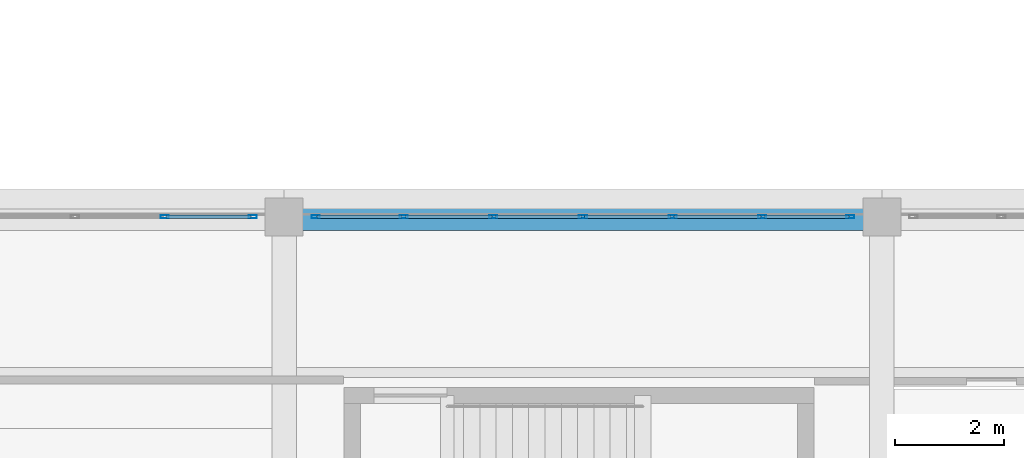
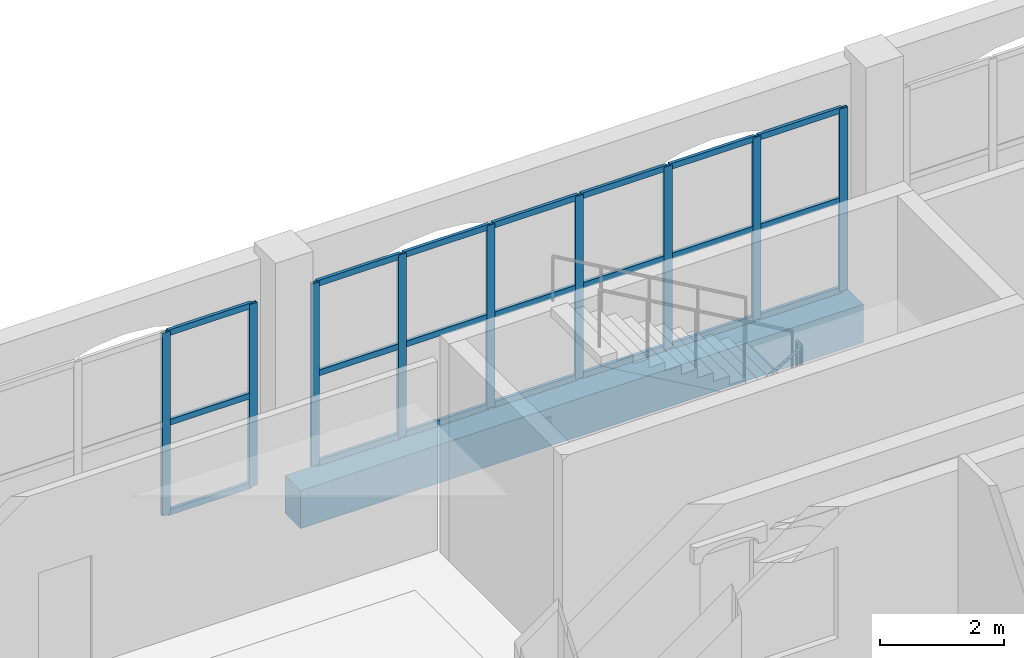
# One storey, part 45 of 156: 30 members, 1 beam, 2 elements without a shape of their own.
"""IFC4 building model written with IfcOpenShell, lengths in metres."""

from ifc_helpers import new_model, si_unit, direction, frame, origin, origin_2d, place, context, subcontext, project, spatial, rectangle, hollow_rectangle, extrude, material, material_profile, profile_set, type_object, element, aggregate, save


model = new_model("IFC4")

# Units and contexts
model_context = context("Model", 3, precision=1e-05, world=origin(), true_north=direction((0.0, 1.0)))
body_context = subcontext(model_context, "Body", "Model", "MODEL_VIEW")
ifc_project = project(units=[si_unit("LENGTHUNIT", "METRE"), si_unit("AREAUNIT", "SQUARE_METRE"), si_unit("VOLUMEUNIT", "CUBIC_METRE"), si_unit("PLANEANGLEUNIT", "RADIAN"), si_unit("MASSUNIT", "GRAM", prefix="KILO")], contexts=[model_context])

# Site, building, storey
site_placement = place(None, origin())
site = spatial("IfcSite", under=ifc_project, at=site_placement, CompositionType="ELEMENT")
building_placement = place(site_placement, origin())
building = spatial("IfcBuilding", under=site, at=building_placement, Name="Caurita Quay Ferry Terminal", CompositionType="ELEMENT")
storey_placement = place(building_placement, frame((0.0, 0.0, 5.39990234375)))
storey = spatial("IfcBuildingStorey", under=building, at=storey_placement, Name="L01", CompositionType="ELEMENT", Elevation=5.39990234375)

# Beam
ifc_material_1 = material(Name="Reinforced concrete C35/45", Category="concrete")
ifc_material_profile_1 = material_profile(ifc_material_1, rectangle(XDim=0.5, YDim=0.75, at=origin_2d()), Name="RC-BM-500X750")
ifc_profile_set_1 = profile_set([ifc_material_profile_1], Name="Reinforced concrete C35/45")
beam_type = type_object("IfcBeamType", Name="BM-RC-5075", PredefinedType="BEAM", material=ifc_profile_set_1)
beam_placement = place(storey_placement, frame((33.1748046875, 80.199951171875, -0.594970703125), z_axis=(1.0, 0.0, 0.0), x_axis=(0.0, 1.0, 0.0)))
element("IfcBeam", 1, at=beam_placement, inside=storey, type_object=beam_type, Name="L01 Beam BM-V5-L01-X-332-802", PredefinedType="BEAM", context=body_context, shape_type="SweptSolid", body=[
    extrude(rectangle(XDim=0.5, YDim=0.75, at=origin_2d()), origin(), (0.0, 0.0, 1.0), 10.485107421875),
])

# Curtain wall, members
ifc_material_2 = material(Name="Laminated solar-control insulated glass", Category="glass")
curtain_wall_type = type_object("IfcCurtainWallType", Name="CW-SYS-23", PredefinedType="NOTDEFINED", material=ifc_material_2)
curtain_wall_1_placement = place(storey_placement, origin())
curtain_wall_1 = element("IfcCurtainWall", 2, at=curtain_wall_1_placement, inside=storey, type_object=curtain_wall_type, Name="L01 Courtyard Cloister Storefront 156", PredefinedType="NOTDEFINED")
ifc_material_3 = material(Name="Anodized aluminium 6063-T6", Category="aluminium")
ifc_material_profile_2 = material_profile(ifc_material_3, hollow_rectangle(XDim=0.06005859375, YDim=0.14990234375, WallThickness=0.00341796875, at=origin_2d()), Name="ALU-MUL-60X150")
ifc_profile_set_2 = profile_set([ifc_material_profile_2], Name="Anodized aluminium 6063-T6")
member_type_1 = type_object("IfcMemberType", Name="CW-MUL-150", PredefinedType="MULLION", material=ifc_profile_set_2)
member_1_placement = place(storey_placement, frame((30.800048828125, 80.199951171875, 0.0), z_axis=(0.0, 0.0, 1.0), x_axis=(0.0, 1.0, 0.0)))
member_1 = element("IfcMember", 3, at=member_1_placement, type_object=member_type_1, Name="CW-CRT-156 Mullion 6", PredefinedType="MULLION", context=body_context, shape_type="SweptSolid", body=[
    extrude(hollow_rectangle(XDim=0.06005859375, YDim=0.14990234375, WallThickness=0.00341796875, at=origin_2d()), origin(), (0.0, 0.0, 1.0), 3.60009765625),
])
member_2_placement = place(storey_placement, frame((32.419921875, 80.199951171875, 0.0), z_axis=(0.0, 0.0, 1.0), x_axis=(0.0, 1.0, 0.0)))
member_2 = element("IfcMember", 4, at=member_2_placement, type_object=member_type_1, Name="CW-CRT-156 Mullion 7", PredefinedType="MULLION", context=body_context, shape_type="SweptSolid", body=[
    extrude(hollow_rectangle(XDim=0.06005859375, YDim=0.14990234375, WallThickness=0.00341796875, at=origin_2d()), origin(), (0.0, 0.0, 1.0), 3.60009765625),
])

curtain_wall_2_placement = place(storey_placement, origin())
curtain_wall_2 = element("IfcCurtainWall", 5, at=curtain_wall_2_placement, inside=storey, type_object=curtain_wall_type, Name="L01 Courtyard Cloister Storefront 157", PredefinedType="NOTDEFINED")
member_3_placement = place(storey_placement, frame((33.580078125, 80.199951171875, 0.0), z_axis=(0.0, 0.0, 1.0), x_axis=(0.0, 1.0, 0.0)))
member_3 = element("IfcMember", 6, at=member_3_placement, type_object=member_type_1, Name="CW-CRT-157 Mullion 1", PredefinedType="MULLION", context=body_context, shape_type="SweptSolid", body=[
    extrude(hollow_rectangle(XDim=0.06005859375, YDim=0.14990234375, WallThickness=0.00341796875, at=origin_2d()), origin(), (0.0, 0.0, 1.0), 3.60009765625),
])
member_4_placement = place(storey_placement, frame((35.199951171875, 80.199951171875, 0.0), z_axis=(0.0, 0.0, 1.0), x_axis=(0.0, 1.0, 0.0)))
member_4 = element("IfcMember", 7, at=member_4_placement, type_object=member_type_1, Name="CW-CRT-157 Mullion 2", PredefinedType="MULLION", context=body_context, shape_type="SweptSolid", body=[
    extrude(hollow_rectangle(XDim=0.06005859375, YDim=0.14990234375, WallThickness=0.00341796875, at=origin_2d()), origin(), (0.0, 0.0, 1.0), 3.60009765625),
])
member_5_placement = place(storey_placement, frame((36.85009765625, 80.199951171875, 0.0), z_axis=(0.0, 0.0, 1.0), x_axis=(0.0, 1.0, 0.0)))
member_5 = element("IfcMember", 8, at=member_5_placement, type_object=member_type_1, Name="CW-CRT-157 Mullion 3", PredefinedType="MULLION", context=body_context, shape_type="SweptSolid", body=[
    extrude(hollow_rectangle(XDim=0.06005859375, YDim=0.14990234375, WallThickness=0.00341796875, at=origin_2d()), origin(), (0.0, 0.0, 1.0), 3.60009765625),
])
member_6_placement = place(storey_placement, frame((38.5, 80.199951171875, 0.0), z_axis=(0.0, 0.0, 1.0), x_axis=(0.0, 1.0, 0.0)))
member_6 = element("IfcMember", 9, at=member_6_placement, type_object=member_type_1, Name="CW-CRT-157 Mullion 4", PredefinedType="MULLION", context=body_context, shape_type="SweptSolid", body=[
    extrude(hollow_rectangle(XDim=0.06005859375, YDim=0.14990234375, WallThickness=0.00341796875, at=origin_2d()), origin(), (0.0, 0.0, 1.0), 3.60009765625),
])
member_7_placement = place(storey_placement, frame((40.14990234375, 80.199951171875, 0.0), z_axis=(0.0, 0.0, 1.0), x_axis=(0.0, 1.0, 0.0)))
member_7 = element("IfcMember", 10, at=member_7_placement, type_object=member_type_1, Name="CW-CRT-157 Mullion 5", PredefinedType="MULLION", context=body_context, shape_type="SweptSolid", body=[
    extrude(hollow_rectangle(XDim=0.06005859375, YDim=0.14990234375, WallThickness=0.00341796875, at=origin_2d()), origin(), (0.0, 0.0, 1.0), 3.60009765625),
])
member_8_placement = place(storey_placement, frame((41.800048828125, 80.199951171875, 0.0), z_axis=(0.0, 0.0, 1.0), x_axis=(0.0, 1.0, 0.0)))
member_8 = element("IfcMember", 11, at=member_8_placement, type_object=member_type_1, Name="CW-CRT-157 Mullion 6", PredefinedType="MULLION", context=body_context, shape_type="SweptSolid", body=[
    extrude(hollow_rectangle(XDim=0.06005859375, YDim=0.14990234375, WallThickness=0.00341796875, at=origin_2d()), origin(), (0.0, 0.0, 1.0), 3.60009765625),
])
member_9_placement = place(storey_placement, frame((43.419921875, 80.199951171875, 0.0), z_axis=(0.0, 0.0, 1.0), x_axis=(0.0, 1.0, 0.0)))
member_9 = element("IfcMember", 12, at=member_9_placement, type_object=member_type_1, Name="CW-CRT-157 Mullion 7", PredefinedType="MULLION", context=body_context, shape_type="SweptSolid", body=[
    extrude(hollow_rectangle(XDim=0.06005859375, YDim=0.14990234375, WallThickness=0.00341796875, at=origin_2d()), origin(), (0.0, 0.0, 1.0), 3.60009765625),
])

# Member
ifc_material_profile_3 = material_profile(ifc_material_3, hollow_rectangle(XDim=0.06005859375, YDim=0.114990234375, WallThickness=0.00341796875, at=origin_2d()), Name="ALU-TRN-60X115")
ifc_profile_set_3 = profile_set([ifc_material_profile_3], Name="Anodized aluminium 6063-T6")
member_type_2 = type_object("IfcMemberType", Name="CW-TRN-115", PredefinedType="USERDEFINED", material=ifc_profile_set_3)
member_10_placement = place(storey_placement, frame((30.827880859375, 80.199951171875, 0.030029296875), z_axis=(1.0, 0.0, 0.0), x_axis=(0.0, 1.0, 0.0)))
member_10 = element("IfcMember", 13, at=member_10_placement, type_object=member_type_2, Name="CW-CRT-156 Transom 16", ObjectType="TRANSOM", PredefinedType="USERDEFINED", context=body_context, shape_type="SweptSolid", body=[
    extrude(hollow_rectangle(XDim=0.06005859375, YDim=0.114990234375, WallThickness=0.00341796875, at=origin_2d()), origin(), (0.0, 0.0, 1.0), 1.564208984375),
])

member_11_placement = place(storey_placement, frame((30.827880859375, 80.199951171875, 1.800048828125), z_axis=(1.0, 0.0, 0.0), x_axis=(0.0, 1.0, 0.0)))
member_11 = element("IfcMember", 14, at=member_11_placement, type_object=member_type_2, Name="CW-CRT-156 Transom 17", ObjectType="TRANSOM", PredefinedType="USERDEFINED", context=body_context, shape_type="SweptSolid", body=[
    extrude(hollow_rectangle(XDim=0.06005859375, YDim=0.114990234375, WallThickness=0.00341796875, at=origin_2d()), origin(), (0.0, 0.0, 1.0), 1.564208984375),
])

member_12_placement = place(storey_placement, frame((30.827880859375, 80.199951171875, 3.570068359375), z_axis=(1.0, 0.0, 0.0), x_axis=(0.0, 1.0, 0.0)))
member_12 = element("IfcMember", 15, at=member_12_placement, type_object=member_type_2, Name="CW-CRT-156 Transom 18", ObjectType="TRANSOM", PredefinedType="USERDEFINED", context=body_context, shape_type="SweptSolid", body=[
    extrude(hollow_rectangle(XDim=0.06005859375, YDim=0.114990234375, WallThickness=0.00341796875, at=origin_2d()), origin(), (0.0, 0.0, 1.0), 1.564208984375),
])

aggregate(curtain_wall_1, [member_1, member_2, member_10, member_11, member_12])

member_13_placement = place(storey_placement, frame((33.60791015625, 80.199951171875, 0.030029296875), z_axis=(1.0, 0.0, 0.0), x_axis=(0.0, 1.0, 0.0)))
member_13 = element("IfcMember", 16, at=member_13_placement, type_object=member_type_2, Name="CW-CRT-157 Transom 1", ObjectType="TRANSOM", PredefinedType="USERDEFINED", context=body_context, shape_type="SweptSolid", body=[
    extrude(hollow_rectangle(XDim=0.06005859375, YDim=0.114990234375, WallThickness=0.00341796875, at=origin_2d()), origin(), (0.0, 0.0, 1.0), 1.564208984375),
])

member_14_placement = place(storey_placement, frame((33.60791015625, 80.199951171875, 1.800048828125), z_axis=(1.0, 0.0, 0.0), x_axis=(0.0, 1.0, 0.0)))
member_14 = element("IfcMember", 17, at=member_14_placement, type_object=member_type_2, Name="CW-CRT-157 Transom 2", ObjectType="TRANSOM", PredefinedType="USERDEFINED", context=body_context, shape_type="SweptSolid", body=[
    extrude(hollow_rectangle(XDim=0.06005859375, YDim=0.114990234375, WallThickness=0.00341796875, at=origin_2d()), origin(), (0.0, 0.0, 1.0), 1.564208984375),
])

member_15_placement = place(storey_placement, frame((33.60791015625, 80.199951171875, 3.570068359375), z_axis=(1.0, 0.0, 0.0), x_axis=(0.0, 1.0, 0.0)))
member_15 = element("IfcMember", 18, at=member_15_placement, type_object=member_type_2, Name="CW-CRT-157 Transom 3", ObjectType="TRANSOM", PredefinedType="USERDEFINED", context=body_context, shape_type="SweptSolid", body=[
    extrude(hollow_rectangle(XDim=0.06005859375, YDim=0.114990234375, WallThickness=0.00341796875, at=origin_2d()), origin(), (0.0, 0.0, 1.0), 1.564208984375),
])

member_16_placement = place(storey_placement, frame((35.22802734375, 80.199951171875, 0.030029296875), z_axis=(1.0, 0.0, 0.0), x_axis=(0.0, 1.0, 0.0)))
member_16 = element("IfcMember", 19, at=member_16_placement, type_object=member_type_2, Name="CW-CRT-157 Transom 4", ObjectType="TRANSOM", PredefinedType="USERDEFINED", context=body_context, shape_type="SweptSolid", body=[
    extrude(hollow_rectangle(XDim=0.06005859375, YDim=0.114990234375, WallThickness=0.00341796875, at=origin_2d()), origin(), (0.0, 0.0, 1.0), 1.593994140625),
])

member_17_placement = place(storey_placement, frame((35.22802734375, 80.199951171875, 1.800048828125), z_axis=(1.0, 0.0, 0.0), x_axis=(0.0, 1.0, 0.0)))
member_17 = element("IfcMember", 20, at=member_17_placement, type_object=member_type_2, Name="CW-CRT-157 Transom 5", ObjectType="TRANSOM", PredefinedType="USERDEFINED", context=body_context, shape_type="SweptSolid", body=[
    extrude(hollow_rectangle(XDim=0.06005859375, YDim=0.114990234375, WallThickness=0.00341796875, at=origin_2d()), origin(), (0.0, 0.0, 1.0), 1.593994140625),
])

member_18_placement = place(storey_placement, frame((35.22802734375, 80.199951171875, 3.570068359375), z_axis=(1.0, 0.0, 0.0), x_axis=(0.0, 1.0, 0.0)))
member_18 = element("IfcMember", 21, at=member_18_placement, type_object=member_type_2, Name="CW-CRT-157 Transom 6", ObjectType="TRANSOM", PredefinedType="USERDEFINED", context=body_context, shape_type="SweptSolid", body=[
    extrude(hollow_rectangle(XDim=0.06005859375, YDim=0.114990234375, WallThickness=0.00341796875, at=origin_2d()), origin(), (0.0, 0.0, 1.0), 1.593994140625),
])

member_19_placement = place(storey_placement, frame((36.8779296875, 80.199951171875, 0.030029296875), z_axis=(1.0, 0.0, 0.0), x_axis=(0.0, 1.0, 0.0)))
member_19 = element("IfcMember", 22, at=member_19_placement, type_object=member_type_2, Name="CW-CRT-157 Transom 7", ObjectType="TRANSOM", PredefinedType="USERDEFINED", context=body_context, shape_type="SweptSolid", body=[
    extrude(hollow_rectangle(XDim=0.06005859375, YDim=0.114990234375, WallThickness=0.00341796875, at=origin_2d()), origin(), (0.0, 0.0, 1.0), 1.593994140625),
])

member_20_placement = place(storey_placement, frame((36.8779296875, 80.199951171875, 1.800048828125), z_axis=(1.0, 0.0, 0.0), x_axis=(0.0, 1.0, 0.0)))
member_20 = element("IfcMember", 23, at=member_20_placement, type_object=member_type_2, Name="CW-CRT-157 Transom 8", ObjectType="TRANSOM", PredefinedType="USERDEFINED", context=body_context, shape_type="SweptSolid", body=[
    extrude(hollow_rectangle(XDim=0.06005859375, YDim=0.114990234375, WallThickness=0.00341796875, at=origin_2d()), origin(), (0.0, 0.0, 1.0), 1.593994140625),
])

member_21_placement = place(storey_placement, frame((36.8779296875, 80.199951171875, 3.570068359375), z_axis=(1.0, 0.0, 0.0), x_axis=(0.0, 1.0, 0.0)))
member_21 = element("IfcMember", 24, at=member_21_placement, type_object=member_type_2, Name="CW-CRT-157 Transom 9", ObjectType="TRANSOM", PredefinedType="USERDEFINED", context=body_context, shape_type="SweptSolid", body=[
    extrude(hollow_rectangle(XDim=0.06005859375, YDim=0.114990234375, WallThickness=0.00341796875, at=origin_2d()), origin(), (0.0, 0.0, 1.0), 1.593994140625),
])

member_22_placement = place(storey_placement, frame((38.528076171875, 80.199951171875, 0.030029296875), z_axis=(1.0, 0.0, 0.0), x_axis=(0.0, 1.0, 0.0)))
member_22 = element("IfcMember", 25, at=member_22_placement, type_object=member_type_2, Name="CW-CRT-157 Transom 10", ObjectType="TRANSOM", PredefinedType="USERDEFINED", context=body_context, shape_type="SweptSolid", body=[
    extrude(hollow_rectangle(XDim=0.06005859375, YDim=0.114990234375, WallThickness=0.00341796875, at=origin_2d()), origin(), (0.0, 0.0, 1.0), 1.593994140625),
])

member_23_placement = place(storey_placement, frame((38.528076171875, 80.199951171875, 1.800048828125), z_axis=(1.0, 0.0, 0.0), x_axis=(0.0, 1.0, 0.0)))
member_23 = element("IfcMember", 26, at=member_23_placement, type_object=member_type_2, Name="CW-CRT-157 Transom 11", ObjectType="TRANSOM", PredefinedType="USERDEFINED", context=body_context, shape_type="SweptSolid", body=[
    extrude(hollow_rectangle(XDim=0.06005859375, YDim=0.114990234375, WallThickness=0.00341796875, at=origin_2d()), origin(), (0.0, 0.0, 1.0), 1.593994140625),
])

member_24_placement = place(storey_placement, frame((38.528076171875, 80.199951171875, 3.570068359375), z_axis=(1.0, 0.0, 0.0), x_axis=(0.0, 1.0, 0.0)))
member_24 = element("IfcMember", 27, at=member_24_placement, type_object=member_type_2, Name="CW-CRT-157 Transom 12", ObjectType="TRANSOM", PredefinedType="USERDEFINED", context=body_context, shape_type="SweptSolid", body=[
    extrude(hollow_rectangle(XDim=0.06005859375, YDim=0.114990234375, WallThickness=0.00341796875, at=origin_2d()), origin(), (0.0, 0.0, 1.0), 1.593994140625),
])

member_25_placement = place(storey_placement, frame((40.177978515625, 80.199951171875, 0.030029296875), z_axis=(1.0, 0.0, 0.0), x_axis=(0.0, 1.0, 0.0)))
member_25 = element("IfcMember", 28, at=member_25_placement, type_object=member_type_2, Name="CW-CRT-157 Transom 13", ObjectType="TRANSOM", PredefinedType="USERDEFINED", context=body_context, shape_type="SweptSolid", body=[
    extrude(hollow_rectangle(XDim=0.06005859375, YDim=0.114990234375, WallThickness=0.00341796875, at=origin_2d()), origin(), (0.0, 0.0, 1.0), 1.593994140625),
])

member_26_placement = place(storey_placement, frame((40.177978515625, 80.199951171875, 1.800048828125), z_axis=(1.0, 0.0, 0.0), x_axis=(0.0, 1.0, 0.0)))
member_26 = element("IfcMember", 29, at=member_26_placement, type_object=member_type_2, Name="CW-CRT-157 Transom 14", ObjectType="TRANSOM", PredefinedType="USERDEFINED", context=body_context, shape_type="SweptSolid", body=[
    extrude(hollow_rectangle(XDim=0.06005859375, YDim=0.114990234375, WallThickness=0.00341796875, at=origin_2d()), origin(), (0.0, 0.0, 1.0), 1.593994140625),
])

member_27_placement = place(storey_placement, frame((40.177978515625, 80.199951171875, 3.570068359375), z_axis=(1.0, 0.0, 0.0), x_axis=(0.0, 1.0, 0.0)))
member_27 = element("IfcMember", 30, at=member_27_placement, type_object=member_type_2, Name="CW-CRT-157 Transom 15", ObjectType="TRANSOM", PredefinedType="USERDEFINED", context=body_context, shape_type="SweptSolid", body=[
    extrude(hollow_rectangle(XDim=0.06005859375, YDim=0.114990234375, WallThickness=0.00341796875, at=origin_2d()), origin(), (0.0, 0.0, 1.0), 1.593994140625),
])

member_28_placement = place(storey_placement, frame((41.827880859375, 80.199951171875, 0.030029296875), z_axis=(1.0, 0.0, 0.0), x_axis=(0.0, 1.0, 0.0)))
member_28 = element("IfcMember", 31, at=member_28_placement, type_object=member_type_2, Name="CW-CRT-157 Transom 16", ObjectType="TRANSOM", PredefinedType="USERDEFINED", context=body_context, shape_type="SweptSolid", body=[
    extrude(hollow_rectangle(XDim=0.06005859375, YDim=0.114990234375, WallThickness=0.00341796875, at=origin_2d()), origin(), (0.0, 0.0, 1.0), 1.564208984375),
])

member_29_placement = place(storey_placement, frame((41.827880859375, 80.199951171875, 1.800048828125), z_axis=(1.0, 0.0, 0.0), x_axis=(0.0, 1.0, 0.0)))
member_29 = element("IfcMember", 32, at=member_29_placement, type_object=member_type_2, Name="CW-CRT-157 Transom 17", ObjectType="TRANSOM", PredefinedType="USERDEFINED", context=body_context, shape_type="SweptSolid", body=[
    extrude(hollow_rectangle(XDim=0.06005859375, YDim=0.114990234375, WallThickness=0.00341796875, at=origin_2d()), origin(), (0.0, 0.0, 1.0), 1.564208984375),
])

member_30_placement = place(storey_placement, frame((41.827880859375, 80.199951171875, 3.570068359375), z_axis=(1.0, 0.0, 0.0), x_axis=(0.0, 1.0, 0.0)))
member_30 = element("IfcMember", 33, at=member_30_placement, type_object=member_type_2, Name="CW-CRT-157 Transom 18", ObjectType="TRANSOM", PredefinedType="USERDEFINED", context=body_context, shape_type="SweptSolid", body=[
    extrude(hollow_rectangle(XDim=0.06005859375, YDim=0.114990234375, WallThickness=0.00341796875, at=origin_2d()), origin(), (0.0, 0.0, 1.0), 1.564208984375),
])

aggregate(curtain_wall_2, [member_3, member_4, member_5, member_6, member_7, member_8, member_9, member_13, member_14, member_15, member_16, member_17, member_18, member_19, member_20, member_21, member_22, member_23, member_24, member_25, member_26, member_27, member_28, member_29, member_30])

save(model, "model.ifc")
